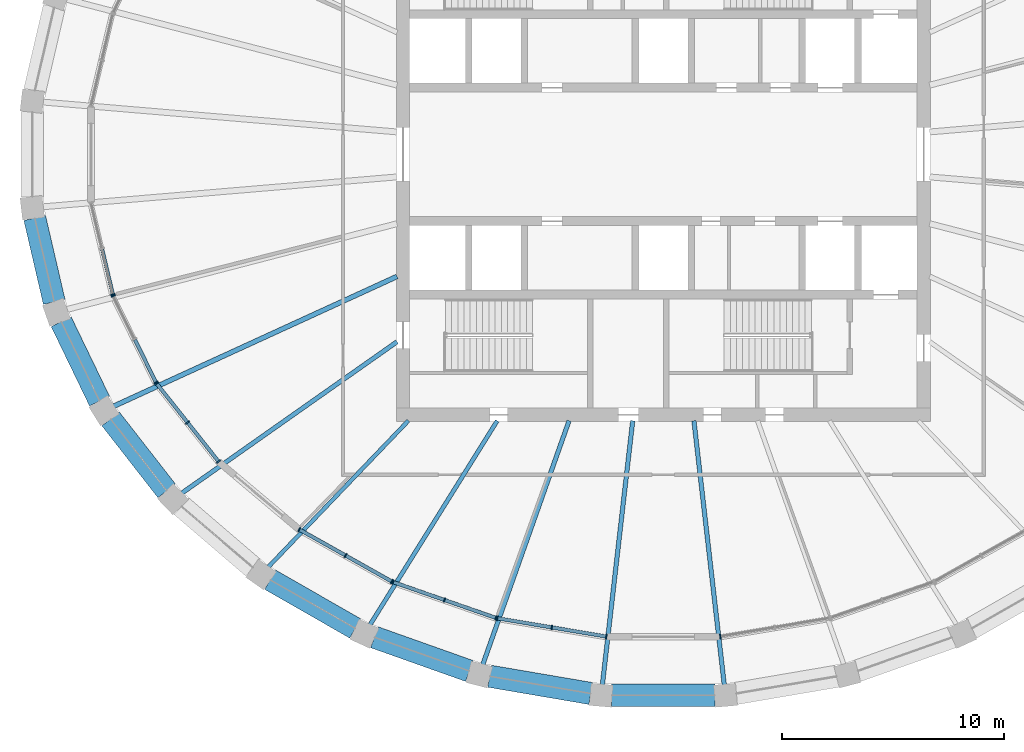
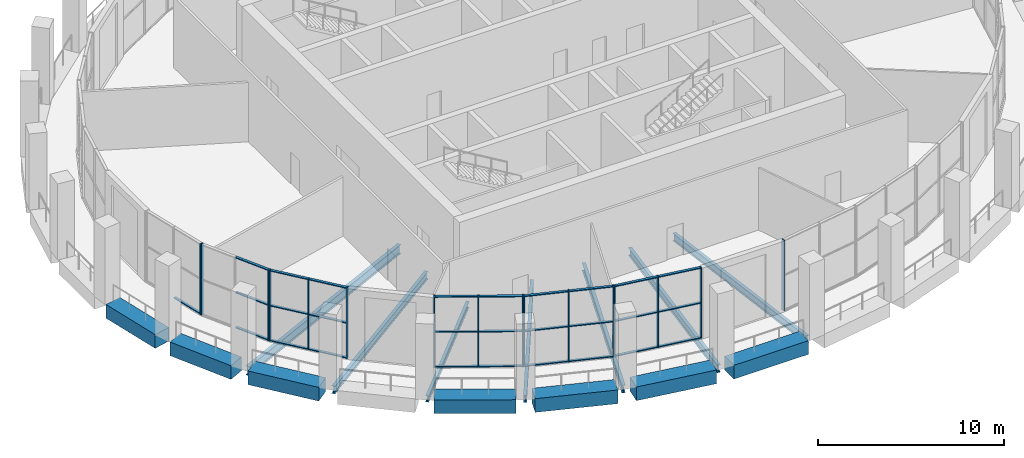
# One storey, part 2 of 15: 44 members, 14 beams, 7 elements without a shape of their own.
"""IFC4 building model written with IfcOpenShell, lengths in metres."""

from ifc_helpers import new_model, si_unit, direction, frame, origin, origin_2d, place, context, subcontext, project, spatial, rectangle, i_section, extrude, material, material_profile, profile_set, type_object, element, aggregate, save


model = new_model("IFC4")

# Units and contexts
model_context = context("Model", 3, precision=1e-05, world=origin(), true_north=direction((0.0, 1.0)))
body_context = subcontext(model_context, "Body", "Model", "MODEL_VIEW")
ifc_project = project(units=[si_unit("LENGTHUNIT", "METRE"), si_unit("AREAUNIT", "SQUARE_METRE"), si_unit("VOLUMEUNIT", "CUBIC_METRE"), si_unit("PLANEANGLEUNIT", "RADIAN"), si_unit("MASSUNIT", "GRAM", prefix="KILO")], contexts=[model_context])

# Site, building, storey
site_placement = place(None, origin())
site = spatial("IfcSite", under=ifc_project, at=site_placement, CompositionType="ELEMENT")
building_placement = place(site_placement, origin())
building = spatial("IfcBuilding", under=site, at=building_placement, Name="Halqa Exchange Tower", CompositionType="ELEMENT")
storey_placement = place(building_placement, frame((0.0, 0.0, 338.300048828125)))
storey = spatial("IfcBuildingStorey", under=building, at=storey_placement, Name="L79", CompositionType="ELEMENT", Elevation=338.300048828125)

# Curtain wall, member
ifc_material_1 = material(Name="Anodised aluminium and clear glass", Category="aluminium")
curtain_wall_type = type_object("IfcCurtainWallType", Name="Executive floor glazing", PredefinedType="NOTDEFINED", material=ifc_material_1)
curtain_wall_1_placement = place(storey_placement, origin())
curtain_wall_1 = element("IfcCurtainWall", 1, at=curtain_wall_1_placement, inside=storey, type_object=curtain_wall_type, Name="Executive floor glazing run G17", PredefinedType="NOTDEFINED")
ifc_material_2 = material(Name="Anodised aluminium", Category="aluminium")
ifc_material_profile_1 = material_profile(ifc_material_2, rectangle(XDim=0.199951171875, YDim=0.06005859375, at=origin_2d()), Name="AL 60x200")
ifc_profile_set_1 = profile_set([ifc_material_profile_1], Name="Anodised aluminium")
member_type_1 = type_object("IfcMemberType", Name="Executive floor glazing mullion 60 x 200", PredefinedType="MULLION", material=ifc_profile_set_1)
member_1_placement = place(storey_placement, frame((-24.742431640625, -6.30029296875, 0.0), z_axis=(0.0, 0.0, 1.0), x_axis=(0.97319169906, 0.229995471437, 0.0)))
member_1 = element("IfcMember", 2, at=member_1_placement, type_object=member_type_1, Name="G17 mullion 3", PredefinedType="MULLION", context=body_context, shape_type="SweptSolid", body=[
    extrude(rectangle(XDim=0.199951171875, YDim=0.06005859375, at=origin_2d()), origin(), (0.0, 0.0, 1.0), 4.64990234375),
])

# Curtain wall, members
curtain_wall_2_placement = place(storey_placement, origin())
curtain_wall_2 = element("IfcCurtainWall", 3, at=curtain_wall_2_placement, inside=storey, type_object=curtain_wall_type, Name="Executive floor glazing run G18", PredefinedType="NOTDEFINED")
member_2_placement = place(storey_placement, frame((-24.72216796875, -6.3564453125, 0.0), z_axis=(0.0, 0.0, 1.0), x_axis=(0.897214741349, 0.441594506199, 0.0)))
member_2 = element("IfcMember", 4, at=member_2_placement, type_object=member_type_1, Name="G18 mullion 1", PredefinedType="MULLION", context=body_context, shape_type="SweptSolid", body=[
    extrude(rectangle(XDim=0.199951171875, YDim=0.06005859375, at=origin_2d()), origin(), (0.0, 0.0, 1.0), 4.64990234375),
])
member_3_placement = place(storey_placement, frame((-22.80615234375, -10.24951171875, 0.0), z_axis=(0.0, 0.0, 1.0), x_axis=(0.897214741349, 0.441594506199, 0.0)))
member_3 = element("IfcMember", 5, at=member_3_placement, type_object=member_type_1, Name="G18 mullion 3", PredefinedType="MULLION", context=body_context, shape_type="SweptSolid", body=[
    extrude(rectangle(XDim=0.199951171875, YDim=0.06005859375, at=origin_2d()), origin(), (0.0, 0.0, 1.0), 4.64990234375),
])

curtain_wall_3_placement = place(storey_placement, origin())
curtain_wall_3 = element("IfcCurtainWall", 6, at=curtain_wall_3_placement, inside=storey, type_object=curtain_wall_type, Name="Executive floor glazing run G19", PredefinedType="NOTDEFINED")
member_4_placement = place(storey_placement, frame((-22.774169921875, -10.2998046875, 0.0), z_axis=(0.0, 0.0, 1.0), x_axis=(0.783162355834, 0.621817275737, 0.0)))
member_4 = element("IfcMember", 7, at=member_4_placement, type_object=member_type_1, Name="G19 mullion 1", PredefinedType="MULLION", context=body_context, shape_type="SweptSolid", body=[
    extrude(rectangle(XDim=0.199951171875, YDim=0.06005859375, at=origin_2d()), origin(), (0.0, 0.0, 1.0), 4.64990234375),
])
member_5_placement = place(storey_placement, frame((-21.3837890625, -12.05126953125, 0.0), z_axis=(0.0, 0.0, 1.0), x_axis=(0.783162355834, 0.621817275737, 0.0)))
member_5 = element("IfcMember", 8, at=member_5_placement, type_object=member_type_1, Name="G19 mullion 2", PredefinedType="MULLION", context=body_context, shape_type="SweptSolid", body=[
    extrude(rectangle(XDim=0.199951171875, YDim=0.06005859375, at=origin_2d()), origin(), (0.0, 0.0, 1.0), 4.64990234375),
])
member_6_placement = place(storey_placement, frame((-19.9931640625, -13.802490234375, 0.0), z_axis=(0.0, 0.0, 1.0), x_axis=(0.783162355834, 0.621817275737, 0.0)))
member_6 = element("IfcMember", 9, at=member_6_placement, type_object=member_type_1, Name="G19 mullion 3", PredefinedType="MULLION", context=body_context, shape_type="SweptSolid", body=[
    extrude(rectangle(XDim=0.199951171875, YDim=0.06005859375, at=origin_2d()), origin(), (0.0, 0.0, 1.0), 4.64990234375),
])

curtain_wall_4_placement = place(storey_placement, origin())
curtain_wall_4 = element("IfcCurtainWall", 10, at=curtain_wall_4_placement, inside=storey, type_object=curtain_wall_type, Name="Executive floor glazing run G21", PredefinedType="NOTDEFINED")
member_7_placement = place(storey_placement, frame((-16.363525390625, -16.857666015625, 0.0), z_axis=(0.0, 0.0, 1.0), x_axis=(0.490158094997, 0.871633547948, 0.0)))
member_7 = element("IfcMember", 11, at=member_7_placement, type_object=member_type_1, Name="G21 mullion 1", PredefinedType="MULLION", context=body_context, shape_type="SweptSolid", body=[
    extrude(rectangle(XDim=0.199951171875, YDim=0.06005859375, at=origin_2d()), origin(), (0.0, 0.0, 1.0), 4.64990234375),
])
member_8_placement = place(storey_placement, frame((-14.283203125, -18.02734375, 0.0), z_axis=(0.0, 0.0, 1.0), x_axis=(0.490158094997, 0.871633547948, 0.0)))
member_8 = element("IfcMember", 12, at=member_8_placement, type_object=member_type_1, Name="G21 mullion 2", PredefinedType="MULLION", context=body_context, shape_type="SweptSolid", body=[
    extrude(rectangle(XDim=0.199951171875, YDim=0.06005859375, at=origin_2d()), origin(), (0.0, 0.0, 1.0), 4.64990234375),
])
member_9_placement = place(storey_placement, frame((-12.202880859375, -19.197265625, 0.0), z_axis=(0.0, 0.0, 1.0), x_axis=(0.490158094997, 0.871633547948, 0.0)))
member_9 = element("IfcMember", 13, at=member_9_placement, type_object=member_type_1, Name="G21 mullion 3", PredefinedType="MULLION", context=body_context, shape_type="SweptSolid", body=[
    extrude(rectangle(XDim=0.199951171875, YDim=0.06005859375, at=origin_2d()), origin(), (0.0, 0.0, 1.0), 4.64990234375),
])

curtain_wall_5_placement = place(storey_placement, origin())
curtain_wall_5 = element("IfcCurtainWall", 14, at=curtain_wall_5_placement, inside=storey, type_object=curtain_wall_type, Name="Executive floor glazing run G22", PredefinedType="NOTDEFINED")
member_10_placement = place(storey_placement, frame((-12.1484375, -19.221923828125, 0.0), z_axis=(0.0, 0.0, 1.0), x_axis=(0.329160021888, 0.9442741551, 0.0)))
member_10 = element("IfcMember", 15, at=member_10_placement, type_object=member_type_1, Name="G22 mullion 1", PredefinedType="MULLION", context=body_context, shape_type="SweptSolid", body=[
    extrude(rectangle(XDim=0.199951171875, YDim=0.06005859375, at=origin_2d()), origin(), (0.0, 0.0, 1.0), 4.64990234375),
])
member_11_placement = place(storey_placement, frame((-9.837158203125, -20.027587890625, 0.0), z_axis=(0.0, 0.0, 1.0), x_axis=(0.329160021888, 0.9442741551, 0.0)))
member_11 = element("IfcMember", 16, at=member_11_placement, type_object=member_type_1, Name="G22 mullion 2", PredefinedType="MULLION", context=body_context, shape_type="SweptSolid", body=[
    extrude(rectangle(XDim=0.199951171875, YDim=0.06005859375, at=origin_2d()), origin(), (0.0, 0.0, 1.0), 4.64990234375),
])
member_12_placement = place(storey_placement, frame((-7.52587890625, -20.833251953125, 0.0), z_axis=(0.0, 0.0, 1.0), x_axis=(0.329160021888, 0.9442741551, 0.0)))
member_12 = element("IfcMember", 17, at=member_12_placement, type_object=member_type_1, Name="G22 mullion 3", PredefinedType="MULLION", context=body_context, shape_type="SweptSolid", body=[
    extrude(rectangle(XDim=0.199951171875, YDim=0.06005859375, at=origin_2d()), origin(), (0.0, 0.0, 1.0), 4.64990234375),
])

curtain_wall_6_placement = place(storey_placement, origin())
curtain_wall_6 = element("IfcCurtainWall", 18, at=curtain_wall_6_placement, inside=storey, type_object=curtain_wall_type, Name="Executive floor glazing run G23", PredefinedType="NOTDEFINED")
member_13_placement = place(storey_placement, frame((-7.468017578125, -20.84814453125, 0.0), z_axis=(0.0, 0.0, 1.0), x_axis=(0.165117129007, 0.986273964834, 0.0)))
member_13 = element("IfcMember", 19, at=member_13_placement, type_object=member_type_1, Name="G23 mullion 1", PredefinedType="MULLION", context=body_context, shape_type="SweptSolid", body=[
    extrude(rectangle(XDim=0.199951171875, YDim=0.06005859375, at=origin_2d()), origin(), (0.0, 0.0, 1.0), 4.64990234375),
])
member_14_placement = place(storey_placement, frame((-5.0146484375, -21.2587890625, 0.0), z_axis=(0.0, 0.0, 1.0), x_axis=(0.165117129007, 0.986273964834, 0.0)))
member_14 = element("IfcMember", 20, at=member_14_placement, type_object=member_type_1, Name="G23 mullion 2", PredefinedType="MULLION", context=body_context, shape_type="SweptSolid", body=[
    extrude(rectangle(XDim=0.199951171875, YDim=0.06005859375, at=origin_2d()), origin(), (0.0, 0.0, 1.0), 4.64990234375),
])
member_15_placement = place(storey_placement, frame((-2.56103515625, -21.66943359375, 0.0), z_axis=(0.0, 0.0, 1.0), x_axis=(0.165117129007, 0.986273964834, 0.0)))
member_15 = element("IfcMember", 21, at=member_15_placement, type_object=member_type_1, Name="G23 mullion 3", PredefinedType="MULLION", context=body_context, shape_type="SweptSolid", body=[
    extrude(rectangle(XDim=0.199951171875, YDim=0.06005859375, at=origin_2d()), origin(), (0.0, 0.0, 1.0), 4.64990234375),
])

# Curtain wall, member
curtain_wall_7_placement = place(storey_placement, origin())
curtain_wall_7 = element("IfcCurtainWall", 22, at=curtain_wall_7_placement, inside=storey, type_object=curtain_wall_type, Name="Executive floor glazing run G25", PredefinedType="NOTDEFINED")
member_16_placement = place(storey_placement, frame((2.56103515625, -21.66943359375, 0.0), z_axis=(0.0, 0.0, 1.0), x_axis=(-0.165117129007, 0.986273964834, 0.0)))
member_16 = element("IfcMember", 23, at=member_16_placement, type_object=member_type_1, Name="G25 mullion 1", PredefinedType="MULLION", context=body_context, shape_type="SweptSolid", body=[
    extrude(rectangle(XDim=0.199951171875, YDim=0.06005859375, at=origin_2d()), origin(), (0.0, 0.0, 1.0), 4.64990234375),
])
aggregate(curtain_wall_7, [member_16])

# Member
ifc_material_profile_2 = material_profile(ifc_material_2, rectangle(XDim=0.159912109375, YDim=0.06005859375, at=origin_2d()), Name="AL 60x160")
ifc_profile_set_2 = profile_set([ifc_material_profile_2], Name="Anodised aluminium")
member_type_2 = type_object("IfcMemberType", Name="Executive floor glazing transom 60 x 160", PredefinedType="USERDEFINED", material=ifc_profile_set_2)
member_17_placement = place(storey_placement, frame((-25.223876953125, -4.2626953125, 0.030029296875), z_axis=(0.229988783785, -0.973193279535, 0.0), x_axis=(0.973193279535, 0.229988783785, 0.0)))
member_17 = element("IfcMember", 24, at=member_17_placement, type_object=member_type_2, Name="G17 transom 2.1", ObjectType="TRANSOM", PredefinedType="USERDEFINED", context=body_context, shape_type="SweptSolid", body=[
    extrude(rectangle(XDim=0.159912109375, YDim=0.06005859375, at=origin_2d()), origin(), (0.0, 0.0, 1.0), 2.063720703125),
])

aggregate(curtain_wall_1, [member_1, member_17])

member_18_placement = place(storey_placement, frame((-23.7509765625, -8.329833984375, 0.030029296875), z_axis=(0.441603772589, -0.897210180524, 0.0), x_axis=(0.897210180524, 0.441603772589, 0.0)))
member_18 = element("IfcMember", 25, at=member_18_placement, type_object=member_type_2, Name="G18 transom 2.1", ObjectType="TRANSOM", PredefinedType="USERDEFINED", context=body_context, shape_type="SweptSolid", body=[
    extrude(rectangle(XDim=0.159912109375, YDim=0.06005859375, at=origin_2d()), origin(), (0.0, 0.0, 1.0), 2.109619140625),
])

member_19_placement = place(storey_placement, frame((-23.7509765625, -8.329833984375, 2.324951171875), z_axis=(0.441603772589, -0.897210180524, 0.0), x_axis=(0.897210180524, 0.441603772589, 0.0)))
member_19 = element("IfcMember", 26, at=member_19_placement, type_object=member_type_2, Name="G18 transom 2.2", ObjectType="TRANSOM", PredefinedType="USERDEFINED", context=body_context, shape_type="SweptSolid", body=[
    extrude(rectangle(XDim=0.159912109375, YDim=0.06005859375, at=origin_2d()), origin(), (0.0, 0.0, 1.0), 2.109619140625),
])

member_20_placement = place(storey_placement, frame((-23.7509765625, -8.329833984375, 4.619873046875), z_axis=(0.441603772589, -0.897210180524, 0.0), x_axis=(0.897210180524, 0.441603772589, 0.0)))
member_20 = element("IfcMember", 27, at=member_20_placement, type_object=member_type_2, Name="G18 transom 2.3", ObjectType="TRANSOM", PredefinedType="USERDEFINED", context=body_context, shape_type="SweptSolid", body=[
    extrude(rectangle(XDim=0.159912109375, YDim=0.06005859375, at=origin_2d()), origin(), (0.0, 0.0, 1.0), 2.109619140625),
])

aggregate(curtain_wall_2, [member_2, member_3, member_18, member_19, member_20])

member_21_placement = place(storey_placement, frame((-22.755615234375, -10.323486328125, 0.030029296875), z_axis=(0.621831555709, -0.783151017572, 0.0), x_axis=(0.783151017572, 0.621831555709, 0.0)))
member_21 = element("IfcMember", 28, at=member_21_placement, type_object=member_type_2, Name="G19 transom 1.1", ObjectType="TRANSOM", PredefinedType="USERDEFINED", context=body_context, shape_type="SweptSolid", body=[
    extrude(rectangle(XDim=0.159912109375, YDim=0.06005859375, at=origin_2d()), origin(), (0.0, 0.0, 1.0), 2.17626953125),
])

member_22_placement = place(storey_placement, frame((-22.755615234375, -10.323486328125, 2.324951171875), z_axis=(0.621831555709, -0.783151017572, 0.0), x_axis=(0.783151017572, 0.621831555709, 0.0)))
member_22 = element("IfcMember", 29, at=member_22_placement, type_object=member_type_2, Name="G19 transom 1.2", ObjectType="TRANSOM", PredefinedType="USERDEFINED", context=body_context, shape_type="SweptSolid", body=[
    extrude(rectangle(XDim=0.159912109375, YDim=0.06005859375, at=origin_2d()), origin(), (0.0, 0.0, 1.0), 2.17626953125),
])

member_23_placement = place(storey_placement, frame((-22.755615234375, -10.323486328125, 4.619873046875), z_axis=(0.621831555709, -0.783151017572, 0.0), x_axis=(0.783151017572, 0.621831555709, 0.0)))
member_23 = element("IfcMember", 30, at=member_23_placement, type_object=member_type_2, Name="G19 transom 1.3", ObjectType="TRANSOM", PredefinedType="USERDEFINED", context=body_context, shape_type="SweptSolid", body=[
    extrude(rectangle(XDim=0.159912109375, YDim=0.06005859375, at=origin_2d()), origin(), (0.0, 0.0, 1.0), 2.17626953125),
])

member_24_placement = place(storey_placement, frame((-21.364990234375, -12.07470703125, 0.030029296875), z_axis=(0.621831555709, -0.783151017572, 0.0), x_axis=(0.783151017572, 0.621831555709, 0.0)))
member_24 = element("IfcMember", 31, at=member_24_placement, type_object=member_type_2, Name="G19 transom 2.1", ObjectType="TRANSOM", PredefinedType="USERDEFINED", context=body_context, shape_type="SweptSolid", body=[
    extrude(rectangle(XDim=0.159912109375, YDim=0.06005859375, at=origin_2d()), origin(), (0.0, 0.0, 1.0), 2.17626953125),
])

member_25_placement = place(storey_placement, frame((-21.364990234375, -12.07470703125, 2.324951171875), z_axis=(0.621831555709, -0.783151017572, 0.0), x_axis=(0.783151017572, 0.621831555709, 0.0)))
member_25 = element("IfcMember", 32, at=member_25_placement, type_object=member_type_2, Name="G19 transom 2.2", ObjectType="TRANSOM", PredefinedType="USERDEFINED", context=body_context, shape_type="SweptSolid", body=[
    extrude(rectangle(XDim=0.159912109375, YDim=0.06005859375, at=origin_2d()), origin(), (0.0, 0.0, 1.0), 2.17626953125),
])

member_26_placement = place(storey_placement, frame((-21.364990234375, -12.07470703125, 4.619873046875), z_axis=(0.621831555709, -0.783151017572, 0.0), x_axis=(0.783151017572, 0.621831555709, 0.0)))
member_26 = element("IfcMember", 33, at=member_26_placement, type_object=member_type_2, Name="G19 transom 2.3", ObjectType="TRANSOM", PredefinedType="USERDEFINED", context=body_context, shape_type="SweptSolid", body=[
    extrude(rectangle(XDim=0.159912109375, YDim=0.06005859375, at=origin_2d()), origin(), (0.0, 0.0, 1.0), 2.17626953125),
])

aggregate(curtain_wall_3, [member_4, member_5, member_6, member_21, member_22, member_23, member_24, member_25, member_26])

member_27_placement = place(storey_placement, frame((-16.33740234375, -16.872314453125, 0.030029296875), z_axis=(0.871651188235, -0.490126724479, 0.0), x_axis=(0.490126724479, 0.871651188235, 0.0)))
member_27 = element("IfcMember", 34, at=member_27_placement, type_object=member_type_2, Name="G21 transom 1.1", ObjectType="TRANSOM", PredefinedType="USERDEFINED", context=body_context, shape_type="SweptSolid", body=[
    extrude(rectangle(XDim=0.159912109375, YDim=0.06005859375, at=origin_2d()), origin(), (0.0, 0.0, 1.0), 2.32666015625),
])

member_28_placement = place(storey_placement, frame((-16.33740234375, -16.872314453125, 2.324951171875), z_axis=(0.871651188235, -0.490126724479, 0.0), x_axis=(0.490126724479, 0.871651188235, 0.0)))
member_28 = element("IfcMember", 35, at=member_28_placement, type_object=member_type_2, Name="G21 transom 1.2", ObjectType="TRANSOM", PredefinedType="USERDEFINED", context=body_context, shape_type="SweptSolid", body=[
    extrude(rectangle(XDim=0.159912109375, YDim=0.06005859375, at=origin_2d()), origin(), (0.0, 0.0, 1.0), 2.32666015625),
])

member_29_placement = place(storey_placement, frame((-16.33740234375, -16.872314453125, 4.619873046875), z_axis=(0.871651188235, -0.490126724479, 0.0), x_axis=(0.490126724479, 0.871651188235, 0.0)))
member_29 = element("IfcMember", 36, at=member_29_placement, type_object=member_type_2, Name="G21 transom 1.3", ObjectType="TRANSOM", PredefinedType="USERDEFINED", context=body_context, shape_type="SweptSolid", body=[
    extrude(rectangle(XDim=0.159912109375, YDim=0.06005859375, at=origin_2d()), origin(), (0.0, 0.0, 1.0), 2.32666015625),
])

member_30_placement = place(storey_placement, frame((-14.257080078125, -18.042236328125, 0.030029296875), z_axis=(0.871651188235, -0.490126724479, 0.0), x_axis=(0.490126724479, 0.871651188235, 0.0)))
member_30 = element("IfcMember", 37, at=member_30_placement, type_object=member_type_2, Name="G21 transom 2.1", ObjectType="TRANSOM", PredefinedType="USERDEFINED", context=body_context, shape_type="SweptSolid", body=[
    extrude(rectangle(XDim=0.159912109375, YDim=0.06005859375, at=origin_2d()), origin(), (0.0, 0.0, 1.0), 2.32666015625),
])

member_31_placement = place(storey_placement, frame((-14.257080078125, -18.042236328125, 2.324951171875), z_axis=(0.871651188235, -0.490126724479, 0.0), x_axis=(0.490126724479, 0.871651188235, 0.0)))
member_31 = element("IfcMember", 38, at=member_31_placement, type_object=member_type_2, Name="G21 transom 2.2", ObjectType="TRANSOM", PredefinedType="USERDEFINED", context=body_context, shape_type="SweptSolid", body=[
    extrude(rectangle(XDim=0.159912109375, YDim=0.06005859375, at=origin_2d()), origin(), (0.0, 0.0, 1.0), 2.32666015625),
])

member_32_placement = place(storey_placement, frame((-14.257080078125, -18.042236328125, 4.619873046875), z_axis=(0.871651188235, -0.490126724479, 0.0), x_axis=(0.490126724479, 0.871651188235, 0.0)))
member_32 = element("IfcMember", 39, at=member_32_placement, type_object=member_type_2, Name="G21 transom 2.3", ObjectType="TRANSOM", PredefinedType="USERDEFINED", context=body_context, shape_type="SweptSolid", body=[
    extrude(rectangle(XDim=0.159912109375, YDim=0.06005859375, at=origin_2d()), origin(), (0.0, 0.0, 1.0), 2.32666015625),
])

aggregate(curtain_wall_4, [member_7, member_8, member_9, member_27, member_28, member_29, member_30, member_31, member_32])

member_33_placement = place(storey_placement, frame((-12.1201171875, -19.231689453125, 0.030029296875), z_axis=(0.9442800212, -0.329143193096, 0.0), x_axis=(0.329143193096, 0.9442800212, 0.0)))
member_33 = element("IfcMember", 40, at=member_33_placement, type_object=member_type_2, Name="G22 transom 1.1", ObjectType="TRANSOM", PredefinedType="USERDEFINED", context=body_context, shape_type="SweptSolid", body=[
    extrude(rectangle(XDim=0.159912109375, YDim=0.06005859375, at=origin_2d()), origin(), (0.0, 0.0, 1.0), 2.3876953125),
])

member_34_placement = place(storey_placement, frame((-12.1201171875, -19.231689453125, 2.324951171875), z_axis=(0.9442800212, -0.329143193096, 0.0), x_axis=(0.329143193096, 0.9442800212, 0.0)))
member_34 = element("IfcMember", 41, at=member_34_placement, type_object=member_type_2, Name="G22 transom 1.2", ObjectType="TRANSOM", PredefinedType="USERDEFINED", context=body_context, shape_type="SweptSolid", body=[
    extrude(rectangle(XDim=0.159912109375, YDim=0.06005859375, at=origin_2d()), origin(), (0.0, 0.0, 1.0), 2.3876953125),
])

member_35_placement = place(storey_placement, frame((-12.1201171875, -19.231689453125, 4.619873046875), z_axis=(0.9442800212, -0.329143193096, 0.0), x_axis=(0.329143193096, 0.9442800212, 0.0)))
member_35 = element("IfcMember", 42, at=member_35_placement, type_object=member_type_2, Name="G22 transom 1.3", ObjectType="TRANSOM", PredefinedType="USERDEFINED", context=body_context, shape_type="SweptSolid", body=[
    extrude(rectangle(XDim=0.159912109375, YDim=0.06005859375, at=origin_2d()), origin(), (0.0, 0.0, 1.0), 2.3876953125),
])

member_36_placement = place(storey_placement, frame((-9.808837890625, -20.037353515625, 0.030029296875), z_axis=(0.9442800212, -0.329143193096, 0.0), x_axis=(0.329143193096, 0.9442800212, 0.0)))
member_36 = element("IfcMember", 43, at=member_36_placement, type_object=member_type_2, Name="G22 transom 2.1", ObjectType="TRANSOM", PredefinedType="USERDEFINED", context=body_context, shape_type="SweptSolid", body=[
    extrude(rectangle(XDim=0.159912109375, YDim=0.06005859375, at=origin_2d()), origin(), (0.0, 0.0, 1.0), 2.3876953125),
])

member_37_placement = place(storey_placement, frame((-9.808837890625, -20.037353515625, 2.324951171875), z_axis=(0.9442800212, -0.329143193096, 0.0), x_axis=(0.329143193096, 0.9442800212, 0.0)))
member_37 = element("IfcMember", 44, at=member_37_placement, type_object=member_type_2, Name="G22 transom 2.2", ObjectType="TRANSOM", PredefinedType="USERDEFINED", context=body_context, shape_type="SweptSolid", body=[
    extrude(rectangle(XDim=0.159912109375, YDim=0.06005859375, at=origin_2d()), origin(), (0.0, 0.0, 1.0), 2.3876953125),
])

member_38_placement = place(storey_placement, frame((-9.808837890625, -20.037353515625, 4.619873046875), z_axis=(0.9442800212, -0.329143193096, 0.0), x_axis=(0.329143193096, 0.9442800212, 0.0)))
member_38 = element("IfcMember", 45, at=member_38_placement, type_object=member_type_2, Name="G22 transom 2.3", ObjectType="TRANSOM", PredefinedType="USERDEFINED", context=body_context, shape_type="SweptSolid", body=[
    extrude(rectangle(XDim=0.159912109375, YDim=0.06005859375, at=origin_2d()), origin(), (0.0, 0.0, 1.0), 2.3876953125),
])

aggregate(curtain_wall_5, [member_10, member_11, member_12, member_33, member_34, member_35, member_36, member_37, member_38])

member_39_placement = place(storey_placement, frame((-7.4384765625, -20.85302734375, 0.030029296875), z_axis=(0.986271338279, -0.165132817116, 0.0), x_axis=(0.165132817116, 0.986271338279, 0.0)))
member_39 = element("IfcMember", 46, at=member_39_placement, type_object=member_type_2, Name="G23 transom 1.1", ObjectType="TRANSOM", PredefinedType="USERDEFINED", context=body_context, shape_type="SweptSolid", body=[
    extrude(rectangle(XDim=0.159912109375, YDim=0.06005859375, at=origin_2d()), origin(), (0.0, 0.0, 1.0), 2.427734375),
])

member_40_placement = place(storey_placement, frame((-7.4384765625, -20.85302734375, 2.324951171875), z_axis=(0.986271338279, -0.165132817116, 0.0), x_axis=(0.165132817116, 0.986271338279, 0.0)))
member_40 = element("IfcMember", 47, at=member_40_placement, type_object=member_type_2, Name="G23 transom 1.2", ObjectType="TRANSOM", PredefinedType="USERDEFINED", context=body_context, shape_type="SweptSolid", body=[
    extrude(rectangle(XDim=0.159912109375, YDim=0.06005859375, at=origin_2d()), origin(), (0.0, 0.0, 1.0), 2.427734375),
])

member_41_placement = place(storey_placement, frame((-7.4384765625, -20.85302734375, 4.619873046875), z_axis=(0.986271338279, -0.165132817116, 0.0), x_axis=(0.165132817116, 0.986271338279, 0.0)))
member_41 = element("IfcMember", 48, at=member_41_placement, type_object=member_type_2, Name="G23 transom 1.3", ObjectType="TRANSOM", PredefinedType="USERDEFINED", context=body_context, shape_type="SweptSolid", body=[
    extrude(rectangle(XDim=0.159912109375, YDim=0.06005859375, at=origin_2d()), origin(), (0.0, 0.0, 1.0), 2.427734375),
])

member_42_placement = place(storey_placement, frame((-4.98486328125, -21.263671875, 0.030029296875), z_axis=(0.986271338279, -0.165132817116, 0.0), x_axis=(0.165132817116, 0.986271338279, 0.0)))
member_42 = element("IfcMember", 49, at=member_42_placement, type_object=member_type_2, Name="G23 transom 2.1", ObjectType="TRANSOM", PredefinedType="USERDEFINED", context=body_context, shape_type="SweptSolid", body=[
    extrude(rectangle(XDim=0.159912109375, YDim=0.06005859375, at=origin_2d()), origin(), (0.0, 0.0, 1.0), 2.427734375),
])

member_43_placement = place(storey_placement, frame((-4.98486328125, -21.263671875, 2.324951171875), z_axis=(0.986271338279, -0.165132817116, 0.0), x_axis=(0.165132817116, 0.986271338279, 0.0)))
member_43 = element("IfcMember", 50, at=member_43_placement, type_object=member_type_2, Name="G23 transom 2.2", ObjectType="TRANSOM", PredefinedType="USERDEFINED", context=body_context, shape_type="SweptSolid", body=[
    extrude(rectangle(XDim=0.159912109375, YDim=0.06005859375, at=origin_2d()), origin(), (0.0, 0.0, 1.0), 2.427734375),
])

member_44_placement = place(storey_placement, frame((-4.98486328125, -21.263671875, 4.619873046875), z_axis=(0.986271338279, -0.165132817116, 0.0), x_axis=(0.165132817116, 0.986271338279, 0.0)))
member_44 = element("IfcMember", 51, at=member_44_placement, type_object=member_type_2, Name="G23 transom 2.3", ObjectType="TRANSOM", PredefinedType="USERDEFINED", context=body_context, shape_type="SweptSolid", body=[
    extrude(rectangle(XDim=0.159912109375, YDim=0.06005859375, at=origin_2d()), origin(), (0.0, 0.0, 1.0), 2.427734375),
])

aggregate(curtain_wall_6, [member_13, member_14, member_15, member_39, member_40, member_41, member_42, member_43, member_44])

# Beams
ifc_material_3 = material(Name="Steel S355", Category="steel")
ifc_material_profile_3 = material_profile(ifc_material_3, i_section(OverallWidth=0.179931640625, OverallDepth=0.39990234375, WebThickness=0.008544921875, FlangeThickness=0.013427734375, FilletRadius=0.02099609375, at=origin_2d()), Name="IPE 400")
ifc_profile_set_3 = profile_set([ifc_material_profile_3], Name="Steel S355")
beam_type_1 = type_object("IfcBeamType", Name="Floor beam IPE 400", PredefinedType="BEAM", material=ifc_profile_set_3)
beam_1_placement = place(storey_placement, frame((-11.46240234375, -11.9716796875, -0.550048828125), z_axis=(-0.691577100122, -0.722302647501, 0.0), x_axis=(0.722302647501, -0.691577100122, 0.0)))
element("IfcBeam", 52, at=beam_1_placement, inside=storey, type_object=beam_type_1, Name="Radial beam 21", PredefinedType="BEAM", context=body_context, shape_type="SweptSolid", body=[
    extrude(i_section(OverallWidth=0.179931640625, OverallDepth=0.39990234375, WebThickness=0.008544921875, FlangeThickness=0.013427734375, FilletRadius=0.02099609375, at=origin_2d()), origin(), (0.0, 0.0, 1.0), 9.193359375),
])
ifc_material_profile_4 = material_profile(ifc_material_3, i_section(OverallWidth=0.18994140625, OverallDepth=0.449951171875, WebThickness=0.009521484375, FlangeThickness=0.0146484375, FilletRadius=0.02099609375, at=origin_2d()), Name="IPE 450")
ifc_profile_set_4 = profile_set([ifc_material_profile_4], Name="Steel S355")
beam_type_2 = type_object("IfcBeamType", Name="Floor beam IPE 450", PredefinedType="BEAM", material=ifc_profile_set_4)
beam_2_placement = place(storey_placement, frame((-7.46630859375, -11.972900390625, -0.574951171875), z_axis=(-0.529135242535, -0.848537503654, 0.0), x_axis=(0.848537503654, -0.529135242535, 0.0)))
element("IfcBeam", 53, at=beam_2_placement, inside=storey, type_object=beam_type_2, Name="Radial beam 22", PredefinedType="BEAM", context=body_context, shape_type="SweptSolid", body=[
    extrude(i_section(OverallWidth=0.18994140625, OverallDepth=0.449951171875, WebThickness=0.009521484375, FlangeThickness=0.0146484375, FilletRadius=0.02099609375, at=origin_2d()), origin(), (0.0, 0.0, 1.0), 10.90380859375),
])
ifc_material_profile_5 = material_profile(ifc_material_3, i_section(OverallWidth=0.199951171875, OverallDepth=0.5, WebThickness=0.01025390625, FlangeThickness=0.01611328125, FilletRadius=0.02099609375, at=origin_2d()), Name="IPE 500")
ifc_profile_set_5 = profile_set([ifc_material_profile_5], Name="Steel S355")
beam_type_3 = type_object("IfcBeamType", Name="Floor beam IPE 500", PredefinedType="BEAM", material=ifc_profile_set_5)
beam_3_placement = place(storey_placement, frame((-11.971435546875, -8.421142578125, -0.60009765625), z_axis=(-0.817909915289, -0.575346304822, 0.0), x_axis=(0.575346304822, -0.817909915289, 0.0)))
element("IfcBeam", 54, at=beam_3_placement, inside=storey, type_object=beam_type_3, Name="Radial beam 20", PredefinedType="BEAM", context=body_context, shape_type="SweptSolid", body=[
    extrude(i_section(OverallWidth=0.199951171875, OverallDepth=0.5, WebThickness=0.01025390625, FlangeThickness=0.01611328125, FilletRadius=0.02099609375, at=origin_2d()), origin(), (0.0, 0.0, 1.0), 11.923095703125),
])
beam_4_placement = place(storey_placement, frame((-4.237060546875, -11.97216796875, -0.60009765625), z_axis=(-0.333610824629, -0.942710887648, 0.0), x_axis=(0.942710887648, -0.333610824629, 0.0)))
element("IfcBeam", 55, at=beam_4_placement, inside=storey, type_object=beam_type_3, Name="Radial beam 23", PredefinedType="BEAM", context=body_context, shape_type="SweptSolid", body=[
    extrude(i_section(OverallWidth=0.199951171875, OverallDepth=0.5, WebThickness=0.01025390625, FlangeThickness=0.01611328125, FilletRadius=0.02099609375, at=origin_2d()), origin(), (0.0, 0.0, 1.0), 11.7236328125),
])
for number, where, z_axis, x_axis, name in (
    (56, (-1.37548828125, -11.97119140625, -0.60009765625), (-0.114158031936, -0.993462603093, 0.0), (0.993462603093, -0.114158031936, 0.0), "Radial beam 24"),
    (57, (1.37548828125, -11.97119140625, -0.60009765625), (0.114158031936, -0.993462603093, 0.0), (0.993462603093, 0.114158031936, 0.0), "Radial beam 25"),
):
    element("IfcBeam", number, at=place(storey_placement, frame(where, z_axis=z_axis, x_axis=x_axis)), inside=storey, type_object=beam_type_3, Name=name, PredefinedType="BEAM", context=body_context, shape_type="SweptSolid", body=[
        extrude(i_section(OverallWidth=0.199951171875, OverallDepth=0.5, WebThickness=0.01025390625, FlangeThickness=0.01611328125, FilletRadius=0.02099609375, at=origin_2d()), origin(), (0.0, 0.0, 1.0), 12.049072265625),
    ])
ifc_material_profile_6 = material_profile(ifc_material_3, i_section(OverallWidth=0.219970703125, OverallDepth=0.60009765625, WebThickness=0.011962890625, FlangeThickness=0.01904296875, FilletRadius=0.02392578125, at=origin_2d()), Name="IPE 600")
ifc_profile_set_6 = profile_set([ifc_material_profile_6], Name="Steel S355")
beam_type_4 = type_object("IfcBeamType", Name="Floor beam IPE 600", PredefinedType="BEAM", material=ifc_profile_set_6)
beam_5_placement = place(storey_placement, frame((-11.97216796875, -5.485107421875, -0.650146484375), z_axis=(-0.909129837919, -0.416512830302, 0.0), x_axis=(0.416512830302, -0.909129837919, 0.0)))
element("IfcBeam", 58, at=beam_5_placement, inside=storey, type_object=beam_type_4, Name="Radial beam 19", PredefinedType="BEAM", context=body_context, shape_type="SweptSolid", body=[
    extrude(i_section(OverallWidth=0.219970703125, OverallDepth=0.60009765625, WebThickness=0.011962890625, FlangeThickness=0.01904296875, FilletRadius=0.02392578125, at=origin_2d()), origin(), (0.0, 0.0, 1.0), 14.102294921875),
])
ifc_material_4 = material(Name="Concrete C60/75", Category="concrete")
ifc_material_profile_7 = material_profile(ifc_material_4, rectangle(XDim=1.0, YDim=0.89990234375, at=origin_2d()), Name="1000 x 900")
ifc_profile_set_7 = profile_set([ifc_material_profile_7], Name="Concrete C60/75")
beam_type_5 = type_object("IfcBeamType", Name="RC spandrel beam 1000 x 900 C60/75", PredefinedType="SPANDREL", material=ifc_profile_set_7)
beam_6_placement = place(storey_placement, frame((-28.25537109375, -2.857177734375, -0.449951171875), z_axis=(0.226093384766, -0.974105631523, 0.0), x_axis=(0.974105631523, 0.226093384766, 0.0)))
element("IfcBeam", 59, at=beam_6_placement, inside=storey, type_object=beam_type_5, Name="Spandrel 17", PredefinedType="SPANDREL", context=body_context, shape_type="SweptSolid", body=[
    extrude(rectangle(XDim=1.0, YDim=0.89990234375, at=origin_2d()), origin(), (0.0, 0.0, 1.0), 3.872314453125),
])
beam_7_placement = place(storey_placement, frame((-27.06591796875, -7.519287109375, -0.449951171875), z_axis=(0.43505216676, -0.900405248873, 0.0), x_axis=(0.900405248873, 0.43505216676, 0.0)))
element("IfcBeam", 60, at=beam_7_placement, inside=storey, type_object=beam_type_5, Name="Spandrel 18", PredefinedType="SPANDREL", context=body_context, shape_type="SweptSolid", body=[
    extrude(rectangle(XDim=1.0, YDim=0.89990234375, at=origin_2d()), origin(), (0.0, 0.0, 1.0), 3.964111328125),
])
beam_8_placement = place(storey_placement, frame((-24.8427734375, -11.89013671875, -0.449951171875), z_axis=(0.61480594236, -0.788678421943, 0.0), x_axis=(0.788678421943, 0.61480594236, 0.0)))
element("IfcBeam", 61, at=beam_8_placement, inside=storey, type_object=beam_type_5, Name="Spandrel 19", PredefinedType="SPANDREL", context=body_context, shape_type="SweptSolid", body=[
    extrude(rectangle(XDim=1.0, YDim=0.89990234375, at=origin_2d()), origin(), (0.0, 0.0, 1.0), 4.10009765625),
])
beam_9_placement = place(storey_placement, frame((-17.669189453125, -19.119140625, -0.449951171875), z_axis=(0.86778573249, -0.49693855001, 0.0), x_axis=(0.49693855001, 0.86778573249, 0.0)))
element("IfcBeam", 62, at=beam_9_placement, inside=storey, type_object=beam_type_5, Name="Spandrel 21", PredefinedType="SPANDREL", context=body_context, shape_type="SweptSolid", body=[
    extrude(rectangle(XDim=1.0, YDim=0.89990234375, at=origin_2d()), origin(), (0.0, 0.0, 1.0), 4.40478515625),
])
beam_10_placement = place(storey_placement, frame((-12.98828125, -21.70263671875, -0.449951171875), z_axis=(0.94236088808, -0.334598201755, 0.0), x_axis=(0.334598201755, 0.94236088808, 0.0)))
element("IfcBeam", 63, at=beam_10_placement, inside=storey, type_object=beam_type_5, Name="Spandrel 22", PredefinedType="SPANDREL", context=body_context, shape_type="SweptSolid", body=[
    extrude(rectangle(XDim=1.0, YDim=0.89990234375, at=origin_2d()), origin(), (0.0, 0.0, 1.0), 4.530517578125),
])
beam_11_placement = place(storey_placement, frame((-7.805419921875, -23.456298828125, -0.449951171875), z_axis=(0.985773042695, -0.168081849987, 0.0), x_axis=(0.168081849987, 0.985773042695, 0.0)))
element("IfcBeam", 64, at=beam_11_placement, inside=storey, type_object=beam_type_5, Name="Spandrel 23", PredefinedType="SPANDREL", context=body_context, shape_type="SweptSolid", body=[
    extrude(rectangle(XDim=1.0, YDim=0.89990234375, at=origin_2d()), origin(), (0.0, 0.0, 1.0), 4.6103515625),
])
beam_12_placement = place(storey_placement, frame((-2.319580078125, -24.31103515625, -0.449951171875), z_axis=(1.0, 0.0, 0.0), x_axis=(0.0, 1.0, 0.0)))
element("IfcBeam", 65, at=beam_12_placement, inside=storey, type_object=beam_type_5, Name="Spandrel 24", PredefinedType="SPANDREL", context=body_context, shape_type="SweptSolid", body=[
    extrude(rectangle(XDim=1.0, YDim=0.89990234375, at=origin_2d()), origin(), (0.0, 0.0, 1.0), 4.63916015625),
])

save(model, "model.ifc")
